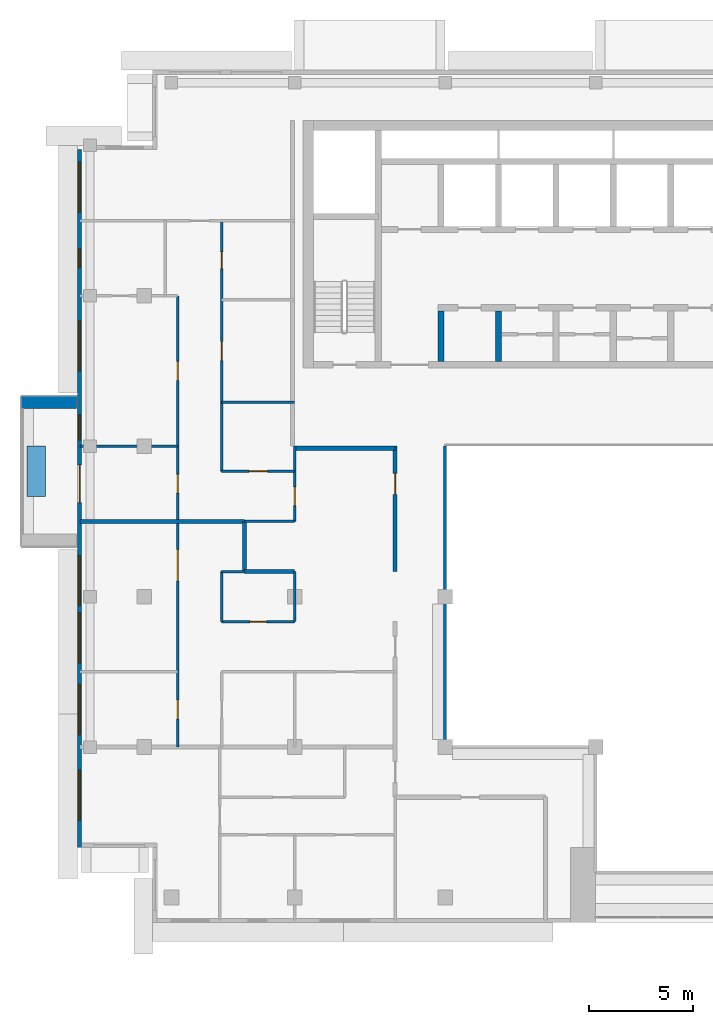
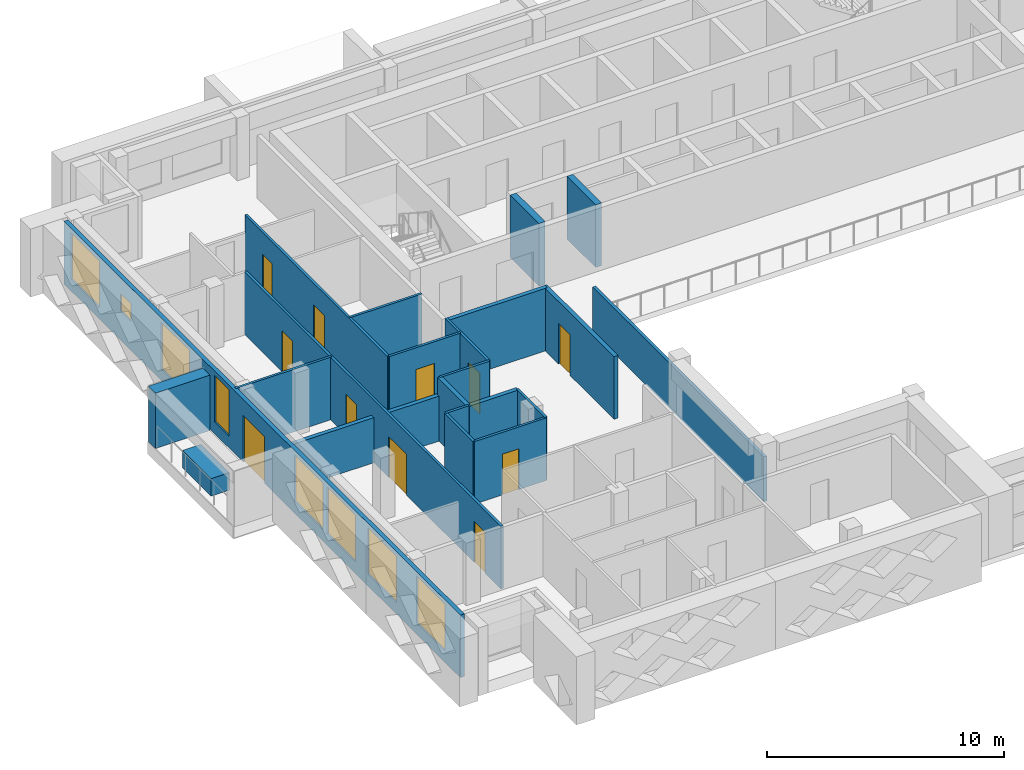
# One storey, part 7 of 19: 22 walls, 11 doors, 8 windows, 19 openings.
"""IFC4 building model written with IfcOpenShell, lengths in metres."""

import ifcopenshell
import ifcopenshell.guid

model = None  # the IFC model being written
_history = None  # IfcOwnerHistory: only IFC2X3 demands one
_inside = {}  # id of a spatial element -> (the spatial element, [elements in it])
_under = {}  # id of a project, library or spatial element -> (it, [spatial elements below it])
_declared = {}  # id of a project -> (the project, [libraries it declares])
_typed = {}  # id of a type object -> (the type object, [elements of that type])
_made_of = {}  # id of a material, layer set ... -> (it, [elements and type objects made of it])


def new_model(schema):
    """Start an empty IFC model of exactly this schema.

    Asked for "IFC4X3", IfcOpenShell would pick the latest addendum, in which some entities
    have other attributes; the version numbers below select the first issue.
    IFC2X3 requires an IfcOwnerHistory on every rooted entity: one is made here for all.
    """
    global model, _history
    if schema == "IFC4X3":
        model = ifcopenshell.file(schema_version=(4, 3, 0, 0))
    else:
        model = ifcopenshell.file(schema=schema)
    _inside.clear()
    _under.clear()
    _declared.clear()
    _typed.clear()
    _made_of.clear()
    _history = None
    if model.schema == "IFC2X3":
        org = make("IfcOrganization", Name="unknown")
        user = make(
            "IfcPersonAndOrganization",
            ThePerson=make("IfcPerson", FamilyName="unknown"),
            TheOrganization=org,
        )
        app = make(
            "IfcApplication",
            ApplicationDeveloper=org,
            Version="unknown",
            ApplicationFullName="unknown",
            ApplicationIdentifier="unknown",
        )
        _history = make(
            "IfcOwnerHistory",
            OwningUser=user,
            OwningApplication=app,
            ChangeAction="ADDED",
            CreationDate=0,
        )
    return model


def make(cls, **values):
    """One entity of the class cls with the attributes given. An attribute that is None is left unset."""
    return model.create_entity(
        cls, **{name: value for name, value in values.items() if value is not None}
    )


def rooted(cls, **values):
    """An entity with a GlobalId (a new one), such as an element, a storey or a relation."""
    return make(cls, GlobalId=ifcopenshell.guid.new(), OwnerHistory=_history, **values)


def si_unit(unit_type, name, prefix=None):
    """IfcSIUnit, for example si_unit("LENGTHUNIT", "METRE", prefix="MILLI")."""
    return make("IfcSIUnit", UnitType=unit_type, Prefix=prefix, Name=name)


def assignment(units):
    """IfcUnitAssignment: the units of a project."""
    return None if units is None else make("IfcUnitAssignment", Units=units)


def point(xyz):
    """IfcCartesianPoint."""
    return None if xyz is None else make("IfcCartesianPoint", Coordinates=xyz)


def direction(xyz):
    """IfcDirection."""
    return None if xyz is None else make("IfcDirection", DirectionRatios=xyz)


def frame(location, z_axis=None, x_axis=None):
    """IfcAxis2Placement3D, a coordinate frame: its origin and axes. An axis left out is left unset."""
    return make(
        "IfcAxis2Placement3D",
        Location=point(location),
        Axis=direction(z_axis),
        RefDirection=direction(x_axis),
    )


def frame_2d(location, x_axis=None):
    """IfcAxis2Placement2D, a coordinate frame in the plane: its origin and x axis."""
    return make(
        "IfcAxis2Placement2D", Location=point(location), RefDirection=direction(x_axis)
    )


def origin():
    """The frame at (0, 0, 0) with its axes left unset."""
    return frame((0.0, 0.0, 0.0))


def place(relative_to, where):
    """IfcLocalPlacement: puts the frame where relative to a parent placement (None: the world)."""
    return make(
        "IfcLocalPlacement", PlacementRelTo=relative_to, RelativePlacement=where
    )


def context(
    kind, dimensions, precision=None, world=None, true_north=None, identifier=None
):
    """IfcGeometricRepresentationContext, for example the 3D "Model" context."""
    return make(
        "IfcGeometricRepresentationContext",
        ContextIdentifier=identifier,
        ContextType=kind,
        CoordinateSpaceDimension=dimensions,
        Precision=precision,
        WorldCoordinateSystem=world,
        TrueNorth=true_north,
    )


def subcontext(parent, identifier, kind, view, scale=None):
    """IfcGeometricRepresentationSubContext, for example "Body" below "Model"."""
    return make(
        "IfcGeometricRepresentationSubContext",
        ContextIdentifier=identifier,
        ContextType=kind,
        ParentContext=parent,
        TargetScale=scale,
        TargetView=view,
    )


def project(units=None, contexts=None):
    """IfcProject with its units and contexts."""
    return rooted(
        "IfcProject",
        Name="project",
        RepresentationContexts=contexts,
        UnitsInContext=assignment(units),
    )


def spatial(cls, under=None, at=None, **own):
    """A site, building, storey or space (cls), placed at a placement, below another one or the project."""
    s = rooted(cls, ObjectPlacement=at, **own)
    if under is not None:
        _under.setdefault(under.id(), (under, []))[1].append(s)
    return s


def profile(cls, at=None, kind="AREA", **sizes):
    """A parametric profile (cls). Its sizes go by their IFC names, for example OverallWidth=200.0."""
    return make(cls, ProfileType=kind, Position=at, **sizes)


def rectangle(**sizes):
    """IfcRectangleProfileDef."""
    return profile("IfcRectangleProfileDef", **sizes)


def extrude(swept, where, along, depth):
    """IfcExtrudedAreaSolid: the profile swept, set in the frame where, extruded along a direction by depth."""
    return make(
        "IfcExtrudedAreaSolid",
        SweptArea=swept,
        Position=where,
        ExtrudedDirection=direction(along),
        Depth=depth,
    )


def shape(context_of_items, identifier, shape_type, items):
    """IfcShapeRepresentation: the items that make up one representation, for example the "Body"."""
    return make(
        "IfcShapeRepresentation",
        ContextOfItems=context_of_items,
        RepresentationIdentifier=identifier,
        RepresentationType=shape_type,
        Items=items,
    )


def material(Name=None, Category=None):
    """IfcMaterial."""
    return make("IfcMaterial", Name=Name, Category=Category)


def layer(
    of_material, thickness, ventilated=None, Name=None, Category=None, Priority=None
):
    """IfcMaterialLayer: one layer of a wall or slab, of a material (None: an air gap)."""
    return make(
        "IfcMaterialLayer",
        Material=of_material,
        LayerThickness=thickness,
        IsVentilated=ventilated,
        Name=Name,
        Category=Category,
        Priority=Priority,
    )


def layer_set(layers, Name=None):
    """IfcMaterialLayerSet."""
    return make("IfcMaterialLayerSet", MaterialLayers=layers, LayerSetName=Name)


def made_of(thing, what):
    """Note that an element or type object is made of a material, layer set ...; save() writes the relation."""
    if what is not None:
        _made_of.setdefault(what.id(), (what, []))[1].append(thing)
    return thing


def type_object(cls, material=None, **own):
    """A type object (cls), such as IfcWallType, which elements share."""
    return made_of(rooted(cls, **own), material)


def element(
    cls,
    number,
    at=None,
    inside=None,
    cuts=None,
    type_object=None,
    material=None,
    context=None,
    identifier="Body",
    shape_type=None,
    held_by="IfcProductDefinitionShape",
    body=None,
    shapes=None,
    **own,
):
    """One element of the class cls, such as IfcWall. Its Tag is "e" and its number.

    at: its placement. inside: the storey or other place that contains it. cuts: it is an
    opening in that element (IfcRelVoidsElement). A single representation is given by context,
    identifier, shape_type and body (its items); several are given by shapes. held_by: the class
    of the entity that holds the representations. save() writes the other relations.
    """
    e = rooted(cls, Tag="e%d" % number, ObjectPlacement=at, **own)
    if body is not None:
        shapes = [shape(context, identifier, shape_type, body)]
    if shapes is not None:
        e.Representation = make(held_by, Representations=shapes)
    if inside is not None:
        _inside.setdefault(inside.id(), (inside, []))[1].append(e)
    if cuts is not None:
        rooted(
            "IfcRelVoidsElement", RelatingBuildingElement=cuts, RelatedOpeningElement=e
        )
    if type_object is not None:
        _typed.setdefault(type_object.id(), (type_object, []))[1].append(e)
    return made_of(e, material)


def fill(opening, filler):
    """IfcRelFillsElement: the door or window that sits in an opening."""
    return rooted(
        "IfcRelFillsElement",
        RelatingOpeningElement=opening,
        RelatedBuildingElement=filler,
    )


def aggregate(whole, parts):
    """IfcRelAggregates: a whole, such as a stair, and the parts it consists of."""
    return rooted("IfcRelAggregates", RelatingObject=whole, RelatedObjects=parts)


def save(model, path):
    """Write the relations noted so far, then the file.

    IfcRelAggregates (storeys below a building ...), IfcRelContainedInSpatialStructure (elements
    in a storey), IfcRelDefinesByType, IfcRelAssociatesMaterial and IfcRelDeclares: one each for
    every whole, place, type object, material and project.
    """
    for whole, parts in _under.values():
        aggregate(whole, parts)
    for where, things in _inside.values():
        rooted(
            "IfcRelContainedInSpatialStructure",
            RelatedElements=things,
            RelatingStructure=where,
        )
    for kind, things in _typed.values():
        rooted("IfcRelDefinesByType", RelatedObjects=things, RelatingType=kind)
    for what, things in _made_of.values():
        rooted("IfcRelAssociatesMaterial", RelatedObjects=things, RelatingMaterial=what)
    for by, libraries in _declared.values():
        rooted("IfcRelDeclares", RelatingContext=by, RelatedDefinitions=libraries)
    model.write(path)


model = new_model("IFC4")

# Units and contexts
model_context = context("Model", 3, precision=1e-05, world=origin(), true_north=direction((0.0, 1.0)))
body_context = subcontext(model_context, "Body", "Model", "MODEL_VIEW")
ifc_project = project(units=[si_unit("LENGTHUNIT", "METRE"), si_unit("AREAUNIT", "SQUARE_METRE"), si_unit("VOLUMEUNIT", "CUBIC_METRE"), si_unit("PLANEANGLEUNIT", "RADIAN"), si_unit("MASSUNIT", "GRAM", prefix="KILO")], contexts=[model_context])

# Site, building, storey
site_placement = place(None, origin())
site = spatial("IfcSite", under=ifc_project, at=site_placement, CompositionType="ELEMENT")
building_placement = place(site_placement, origin())
building = spatial("IfcBuilding", under=site, at=building_placement, Name="Saffron Iwan Residences", CompositionType="ELEMENT")
storey_placement = place(building_placement, frame((0.0, 0.0, 253.5)))
storey = spatial("IfcBuildingStorey", under=building, at=storey_placement, Name="L68", CompositionType="ELEMENT", Elevation=253.5)

# Walls
ifc_material_1 = material(Name="Fire-rated glazing", Category="glass")
ifc_layer_1 = layer(ifc_material_1, 0.14990234375)
ifc_layer_set_1 = layer_set([ifc_layer_1], Name="Fire-rated glazing")
wall_type_1 = type_object("IfcWallType", Name="Atrium glazed screen 150", PredefinedType="SOLIDWALL", material=ifc_layer_set_1)
wall_1_placement = place(storey_placement, frame((36.0, 48.0, 0.0), z_axis=(0.0, 0.0, 1.0), x_axis=(0.0, 1.0, 0.0)))
element("IfcWall", 1, at=wall_1_placement, inside=storey, type_object=wall_type_1, Name="W-L68-SCREEN-v36-48", PredefinedType="SOLIDWALL", context=body_context, shape_type="SweptSolid", body=[
    extrude(rectangle(XDim=14.39990234375, YDim=0.14990234375, at=frame_2d((7.199951171875, 0.0))), origin(), (0.0, 0.0, 1.0), 2.320068359375),
])
ifc_material_2 = material(Name="Concrete C50/60 white painted", Category="concrete")
ifc_layer_2 = layer(ifc_material_2, 0.60009765625)
ifc_layer_set_2 = layer_set([ifc_layer_2], Name="Concrete C50/60 white painted")
wall_type_2 = type_object("IfcWallType", Name="BALCONY FIN 600", PredefinedType="SOLIDWALL", material=ifc_layer_set_2)
wall_2_placement = place(storey_placement, frame((18.35009765625, 64.5, 0.0), z_axis=(0.0, 0.0, 1.0), x_axis=(-1.0, 0.0, 0.0)))
element("IfcWall", 2, at=wall_2_placement, inside=storey, type_object=wall_type_2, Name="Balcony fin L68 F8-0a", PredefinedType="SOLIDWALL", context=body_context, shape_type="SweptSolid", body=[
    extrude(rectangle(XDim=2.650146484375, YDim=0.60009765625, at=frame_2d((1.3251953125, 0.0))), origin(), (0.0, 0.0, 1.0), 2.85009765625),
])
ifc_material_3 = material(Name="Concrete C35/45 white painted", Category="concrete")
ifc_layer_3 = layer(ifc_material_3, 0.14990234375)
ifc_layer_set_3 = layer_set([ifc_layer_3], Name="Concrete C35/45 white painted")
wall_type_3 = type_object("IfcWallType", Name="BALCONY PLANTER", PredefinedType="SOLIDWALL", material=ifc_layer_set_3)
wall_3_placement = place(storey_placement, frame((16.425048828125, 62.39990234375, 0.0), z_axis=(0.0, 0.0, 1.0), x_axis=(0.0, -1.0, 0.0)))
element("IfcWall", 3, at=wall_3_placement, inside=storey, type_object=wall_type_3, Name="PLANTER L68 F8-0", PredefinedType="SOLIDWALL", context=body_context, shape_type="SweptSolid", body=[
    extrude(rectangle(XDim=2.39990234375, YDim=0.89990234375, at=frame_2d((1.199951171875, 0.0))), origin(), (0.0, 0.0, 1.0), 0.89990234375),
])

# Wall, openings, door, windows
ifc_material_4 = material(Name="Concrete C40/50", Category="concrete")
ifc_layer_4 = layer(ifc_material_4, 0.199951171875)
ifc_layer_set_4 = layer_set([ifc_layer_4], Name="Concrete C40/50")
wall_type_4 = type_object("IfcWallType", Name="EXTERNAL WALL 200", PredefinedType="SOLIDWALL", material=ifc_layer_set_4)
wall_4_placement = place(storey_placement, frame((18.5, 76.60009765625, 0.0), z_axis=(0.0, 0.0, 1.0), x_axis=(0.0, -1.0, 0.0)))
wall_4 = element("IfcWall", 4, at=wall_4_placement, inside=storey, type_object=wall_type_4, Name="External wall L68 F8.0", PredefinedType="SOLIDWALL", context=body_context, shape_type="SweptSolid", body=[
    extrude(rectangle(XDim=33.400146484375, YDim=0.199951171875, at=frame_2d((16.7001953125, 0.0))), origin(), (0.0, 0.0, 1.0), 3.219970703125),
])
opening_1_placement = place(wall_4_placement, frame((15.10009765625, 0.0, 0.0)))
opening_1 = element("IfcOpeningElement", 5, at=opening_1_placement, cuts=wall_4, Name="Opening BD1", PredefinedType="OPENING", context=body_context, shape_type="SweptSolid", body=[
    extrude(rectangle(XDim=1.800048828125, YDim=2.39990234375, at=frame_2d((0.89990234375, 1.199951171875))), frame((0.0, 0.10986328125, 0.0), z_axis=(0.0, -1.0, 0.0), x_axis=(1.0, 0.0, 0.0)), (0.0, 0.0, 1.0), 0.219970703125),
])
opening_2_placement = place(wall_4_placement, frame((29.699951171875, 0.0, 0.60009765625)))
opening_2 = element("IfcOpeningElement", 6, at=opening_2_placement, cuts=wall_4, Name="Opening W1", PredefinedType="OPENING", context=body_context, shape_type="SweptSolid", body=[
    extrude(rectangle(XDim=2.39990234375, YDim=2.39990234375, at=frame_2d((1.199951171875, 1.199951171875))), frame((0.0, 0.10986328125, 0.0), z_axis=(0.0, -1.0, 0.0), x_axis=(1.0, 0.0, 0.0)), (0.0, 0.0, 1.0), 0.219970703125),
])
opening_3_placement = place(wall_4_placement, frame((25.60009765625, 0.0, 0.60009765625)))
opening_3 = element("IfcOpeningElement", 7, at=opening_3_placement, cuts=wall_4, Name="Opening W1", PredefinedType="OPENING", context=body_context, shape_type="SweptSolid", body=[
    extrude(rectangle(XDim=2.39990234375, YDim=2.39990234375, at=frame_2d((1.199951171875, 1.199951171875))), frame((0.0, 0.10986328125, 0.0), z_axis=(0.0, -1.0, 0.0), x_axis=(1.0, 0.0, 0.0)), (0.0, 0.0, 1.0), 0.219970703125),
])
opening_4_placement = place(wall_4_placement, frame((19.433349609375, 0.0, 0.60009765625)))
opening_4 = element("IfcOpeningElement", 8, at=opening_4_placement, cuts=wall_4, Name="Opening W1", PredefinedType="OPENING", context=body_context, shape_type="SweptSolid", body=[
    extrude(rectangle(XDim=2.39990234375, YDim=2.39990234375, at=frame_2d((1.199951171875, 1.199951171875))), frame((0.0, 0.10986328125, 0.0), z_axis=(0.0, -1.0, 0.0), x_axis=(1.0, 0.0, 0.0)), (0.0, 0.0, 1.0), 0.219970703125),
])
opening_5_placement = place(wall_4_placement, frame((22.166748046875, 0.0, 0.60009765625)))
opening_5 = element("IfcOpeningElement", 9, at=opening_5_placement, cuts=wall_4, Name="Opening W1", PredefinedType="OPENING", context=body_context, shape_type="SweptSolid", body=[
    extrude(rectangle(XDim=2.39990234375, YDim=2.39990234375, at=frame_2d((1.199951171875, 1.199951171875))), frame((0.0, 0.10986328125, 0.0), z_axis=(0.0, -1.0, 0.0), x_axis=(1.0, 0.0, 0.0)), (0.0, 0.0, 1.0), 0.219970703125),
])
opening_6_placement = place(wall_4_placement, frame((8.199951171875, 0.0, 0.60009765625)))
opening_6 = element("IfcOpeningElement", 10, at=opening_6_placement, cuts=wall_4, Name="Opening W1", PredefinedType="OPENING", context=body_context, shape_type="SweptSolid", body=[
    extrude(rectangle(XDim=2.39990234375, YDim=2.39990234375, at=frame_2d((1.199951171875, 1.199951171875))), frame((0.0, 0.10986328125, 0.0), z_axis=(0.0, -1.0, 0.0), x_axis=(1.0, 0.0, 0.0)), (0.0, 0.0, 1.0), 0.219970703125),
])
opening_7_placement = place(wall_4_placement, frame((12.699951171875, 0.0, 0.60009765625)))
opening_7 = element("IfcOpeningElement", 11, at=opening_7_placement, cuts=wall_4, Name="Opening W3", PredefinedType="OPENING", context=body_context, shape_type="SweptSolid", body=[
    extrude(rectangle(XDim=1.199951171875, YDim=2.39990234375, at=frame_2d((0.60009765625, 1.199951171875))), frame((0.0, 0.10986328125, 0.0), z_axis=(0.0, -1.0, 0.0), x_axis=(1.0, 0.0, 0.0)), (0.0, 0.0, 1.0), 0.219970703125),
])
opening_8_placement = place(wall_4_placement, frame((4.75, 0.0, 1.5)))
opening_8 = element("IfcOpeningElement", 12, at=opening_8_placement, cuts=wall_4, Name="Opening W6", PredefinedType="OPENING", context=body_context, shape_type="SweptSolid", body=[
    extrude(rectangle(XDim=0.89990234375, YDim=0.89990234375, at=frame_2d((0.449951171875, 0.449951171875))), frame((0.0, 0.10986328125, 0.0), z_axis=(0.0, -1.0, 0.0), x_axis=(1.0, 0.0, 0.0)), (0.0, 0.0, 1.0), 0.219970703125),
])
opening_9_placement = place(wall_4_placement, frame((0.60009765625, 0.0, 0.60009765625)))
opening_9 = element("IfcOpeningElement", 13, at=opening_9_placement, cuts=wall_4, Name="Opening W1", PredefinedType="OPENING", context=body_context, shape_type="SweptSolid", body=[
    extrude(rectangle(XDim=2.39990234375, YDim=2.39990234375, at=frame_2d((1.199951171875, 1.199951171875))), frame((0.0, 0.10986328125, 0.0), z_axis=(0.0, -1.0, 0.0), x_axis=(1.0, 0.0, 0.0)), (0.0, 0.0, 1.0), 0.219970703125),
])
ifc_material_5 = material(Name="Clear glass, laminated double glazed", Category="glass")
door_type_1 = type_object("IfcDoorType", Name="BALCONY DOOR 1800 x 2400", OperationType="DOUBLE_DOOR_SLIDING", PredefinedType="DOOR", material=ifc_material_5)
door_1_placement = place(opening_1_placement, origin())
door_1 = element("IfcDoor", 14, at=door_1_placement, inside=storey, type_object=door_type_1, Name="Balcony door L68 F8.0", OperationType="DOUBLE_DOOR_SLIDING", OverallHeight=2.39990234375, OverallWidth=1.800048828125, PredefinedType="DOOR", context=body_context, shape_type="SweptSolid", body=[
    extrude(rectangle(XDim=1.800048828125, YDim=2.39990234375, at=frame_2d((0.89990234375, 1.199951171875))), frame((0.0, 0.02490234375, 0.0), z_axis=(0.0, -1.0, 0.0), x_axis=(1.0, 0.0, 0.0)), (0.0, 0.0, 1.0), 0.050048828125),
])
fill(opening_1, door_1)
window_type_1 = type_object("IfcWindowType", Name="WINDOW 1200 x 2400", PartitioningType="SINGLE_PANEL", PredefinedType="WINDOW", material=ifc_material_5)
window_1_placement = place(opening_7_placement, origin())
window_1 = element("IfcWindow", 15, at=window_1_placement, inside=storey, type_object=window_type_1, Name="Window L68 F8.6", OverallHeight=2.39990234375, OverallWidth=1.199951171875, PartitioningType="SINGLE_PANEL", PredefinedType="WINDOW", context=body_context, shape_type="SweptSolid", body=[
    extrude(rectangle(XDim=1.199951171875, YDim=2.39990234375, at=frame_2d((0.60009765625, 1.199951171875))), frame((0.0, 0.030029296875, 0.0), z_axis=(0.0, -1.0, 0.0), x_axis=(1.0, 0.0, 0.0)), (0.0, 0.0, 1.0), 0.06005859375),
])
fill(opening_7, window_1)
window_type_2 = type_object("IfcWindowType", Name="WINDOW 2400 x 2400", PartitioningType="DOUBLE_PANEL_VERTICAL", PredefinedType="WINDOW", material=ifc_material_5)
window_2_placement = place(opening_2_placement, origin())
window_2 = element("IfcWindow", 16, at=window_2_placement, inside=storey, type_object=window_type_2, Name="Window L68 F8.1", OverallHeight=2.39990234375, OverallWidth=2.39990234375, PartitioningType="DOUBLE_PANEL_VERTICAL", PredefinedType="WINDOW", context=body_context, shape_type="SweptSolid", body=[
    extrude(rectangle(XDim=2.39990234375, YDim=2.39990234375, at=frame_2d((1.199951171875, 1.199951171875))), frame((0.0, 0.030029296875, 0.0), z_axis=(0.0, -1.0, 0.0), x_axis=(1.0, 0.0, 0.0)), (0.0, 0.0, 1.0), 0.06005859375),
])
fill(opening_2, window_2)
window_3_placement = place(opening_3_placement, origin())
window_3 = element("IfcWindow", 17, at=window_3_placement, inside=storey, type_object=window_type_2, Name="Window L68 F8.2", OverallHeight=2.39990234375, OverallWidth=2.39990234375, PartitioningType="DOUBLE_PANEL_VERTICAL", PredefinedType="WINDOW", context=body_context, shape_type="SweptSolid", body=[
    extrude(rectangle(XDim=2.39990234375, YDim=2.39990234375, at=frame_2d((1.199951171875, 1.199951171875))), frame((0.0, 0.030029296875, 0.0), z_axis=(0.0, -1.0, 0.0), x_axis=(1.0, 0.0, 0.0)), (0.0, 0.0, 1.0), 0.06005859375),
])
fill(opening_3, window_3)
window_4_placement = place(opening_4_placement, origin())
window_4 = element("IfcWindow", 18, at=window_4_placement, inside=storey, type_object=window_type_2, Name="Window L68 F8.3", OverallHeight=2.39990234375, OverallWidth=2.39990234375, PartitioningType="DOUBLE_PANEL_VERTICAL", PredefinedType="WINDOW", context=body_context, shape_type="SweptSolid", body=[
    extrude(rectangle(XDim=2.39990234375, YDim=2.39990234375, at=frame_2d((1.199951171875, 1.199951171875))), frame((0.0, 0.030029296875, 0.0), z_axis=(0.0, -1.0, 0.0), x_axis=(1.0, 0.0, 0.0)), (0.0, 0.0, 1.0), 0.06005859375),
])
fill(opening_4, window_4)
window_5_placement = place(opening_5_placement, origin())
window_5 = element("IfcWindow", 19, at=window_5_placement, inside=storey, type_object=window_type_2, Name="Window L68 F8.4", OverallHeight=2.39990234375, OverallWidth=2.39990234375, PartitioningType="DOUBLE_PANEL_VERTICAL", PredefinedType="WINDOW", context=body_context, shape_type="SweptSolid", body=[
    extrude(rectangle(XDim=2.39990234375, YDim=2.39990234375, at=frame_2d((1.199951171875, 1.199951171875))), frame((0.0, 0.030029296875, 0.0), z_axis=(0.0, -1.0, 0.0), x_axis=(1.0, 0.0, 0.0)), (0.0, 0.0, 1.0), 0.06005859375),
])
fill(opening_5, window_5)
window_6_placement = place(opening_6_placement, origin())
window_6 = element("IfcWindow", 20, at=window_6_placement, inside=storey, type_object=window_type_2, Name="Window L68 F8.5", OverallHeight=2.39990234375, OverallWidth=2.39990234375, PartitioningType="DOUBLE_PANEL_VERTICAL", PredefinedType="WINDOW", context=body_context, shape_type="SweptSolid", body=[
    extrude(rectangle(XDim=2.39990234375, YDim=2.39990234375, at=frame_2d((1.199951171875, 1.199951171875))), frame((0.0, 0.030029296875, 0.0), z_axis=(0.0, -1.0, 0.0), x_axis=(1.0, 0.0, 0.0)), (0.0, 0.0, 1.0), 0.06005859375),
])
fill(opening_6, window_6)
window_7_placement = place(opening_9_placement, origin())
window_7 = element("IfcWindow", 21, at=window_7_placement, inside=storey, type_object=window_type_2, Name="Window L68 F8.8", OverallHeight=2.39990234375, OverallWidth=2.39990234375, PartitioningType="DOUBLE_PANEL_VERTICAL", PredefinedType="WINDOW", context=body_context, shape_type="SweptSolid", body=[
    extrude(rectangle(XDim=2.39990234375, YDim=2.39990234375, at=frame_2d((1.199951171875, 1.199951171875))), frame((0.0, 0.030029296875, 0.0), z_axis=(0.0, -1.0, 0.0), x_axis=(1.0, 0.0, 0.0)), (0.0, 0.0, 1.0), 0.06005859375),
])
fill(opening_9, window_7)
window_type_3 = type_object("IfcWindowType", Name="WINDOW 900 x 900 BATH", PartitioningType="SINGLE_PANEL", PredefinedType="WINDOW", material=ifc_material_5)
window_8_placement = place(opening_8_placement, origin())
window_8 = element("IfcWindow", 22, at=window_8_placement, inside=storey, type_object=window_type_3, Name="Window L68 F8.7", OverallHeight=0.89990234375, OverallWidth=0.89990234375, PartitioningType="SINGLE_PANEL", PredefinedType="WINDOW", context=body_context, shape_type="SweptSolid", body=[
    extrude(rectangle(XDim=0.89990234375, YDim=0.89990234375, at=frame_2d((0.449951171875, 0.449951171875))), frame((0.0, 0.030029296875, 0.0), z_axis=(0.0, -1.0, 0.0), x_axis=(1.0, 0.0, 0.0)), (0.0, 0.0, 1.0), 0.06005859375),
])
fill(opening_8, window_8)

# Walls
ifc_material_6 = material(Name="Fire-rated gypsum board wall")
ifc_layer_5 = layer(ifc_material_6, 0.199951171875)
ifc_layer_set_5 = layer_set([ifc_layer_5], Name="Fire-rated gypsum board wall")
wall_type_5 = type_object("IfcWallType", Name="Flat demising wall 200", PredefinedType="SOLIDWALL", material=ifc_layer_set_5)
wall_5_placement = place(storey_placement, frame((26.39990234375, 56.39990234375, 0.0), z_axis=(0.0, 0.0, 1.0), x_axis=(1.0, 0.0, 0.0)))
element("IfcWall", 23, at=wall_5_placement, inside=storey, type_object=wall_type_5, Name="W-L68-DEMISE-h56.4-26.4", PredefinedType="SOLIDWALL", context=body_context, shape_type="SweptSolid", body=[
    extrude(rectangle(XDim=2.400146484375, YDim=0.199951171875, at=frame_2d((1.2001953125, 0.0))), origin(), (0.0, 0.0, 1.0), 3.219970703125),
])
wall_6_placement = place(storey_placement, frame((18.52490234375, 58.800048828125, 0.0), z_axis=(0.0, 0.0, 1.0), x_axis=(1.0, 0.0, 0.0)))
element("IfcWall", 24, at=wall_6_placement, inside=storey, type_object=wall_type_5, Name="W-L68-DEMISE-h58.8-18.525", PredefinedType="SOLIDWALL", context=body_context, shape_type="SweptSolid", body=[
    extrude(rectangle(XDim=7.875, YDim=0.199951171875, at=frame_2d((3.9375, 0.0))), origin(), (0.0, 0.0, 1.0), 2.320068359375),
])
wall_7_placement = place(storey_placement, frame((26.39990234375, 56.39990234375, 0.0), z_axis=(0.0, 0.0, 1.0), x_axis=(0.0, 1.0, 0.0)))
element("IfcWall", 25, at=wall_7_placement, inside=storey, type_object=wall_type_5, Name="W-L68-DEMISE-v26.4-56.4", PredefinedType="SOLIDWALL", context=body_context, shape_type="SweptSolid", body=[
    extrude(rectangle(XDim=2.400146484375, YDim=0.199951171875, at=frame_2d((1.2001953125, 0.0))), origin(), (0.0, 0.0, 1.0), 3.219970703125),
])

# Wall, opening, door
ifc_material_7 = material(Name="Gypsum board partition")
ifc_layer_6 = layer(ifc_material_7, 0.1201171875)
ifc_layer_set_6 = layer_set([ifc_layer_6], Name="Gypsum board partition")
wall_type_6 = type_object("IfcWallType", Name="Flat partition 120", PredefinedType="PARTITIONING", material=ifc_layer_set_6)
wall_8_placement = place(storey_placement, frame((25.300048828125, 54.0, 0.0), z_axis=(0.0, 0.0, 1.0), x_axis=(1.0, 0.0, 0.0)))
wall_8 = element("IfcWall", 26, at=wall_8_placement, inside=storey, type_object=wall_type_6, Name="W-L68-PART-h54-25.3", PredefinedType="PARTITIONING", context=body_context, shape_type="SweptSolid", body=[
    extrude(rectangle(XDim=3.5, YDim=0.1201171875, at=frame_2d((1.75, 0.0))), origin(), (0.0, 0.0, 1.0), 3.219970703125),
])
opening_10_placement = place(wall_8_placement, frame((1.35009765625, 0.0, 0.0)))
opening_10 = element("IfcOpeningElement", 27, at=opening_10_placement, cuts=wall_8, Name="Opening FD3", PredefinedType="OPENING", context=body_context, shape_type="SweptSolid", body=[
    extrude(rectangle(XDim=0.800048828125, YDim=2.10009765625, at=frame_2d((0.39990234375, 1.050048828125))), frame((0.0, 0.070068359375, 0.0), z_axis=(0.0, -1.0, 0.0), x_axis=(1.0, 0.0, 0.0)), (0.0, 0.0, 1.0), 0.14013671875),
])
ifc_material_8 = material(Name="Timber door", Category="wood")
door_type_2 = type_object("IfcDoorType", Name="Bathroom door 800", OperationType="NOTDEFINED", PredefinedType="DOOR", material=ifc_material_8)
door_2_placement = place(opening_10_placement, origin())
door_2 = element("IfcDoor", 28, at=door_2_placement, inside=storey, type_object=door_type_2, Name="Door L68-011", OperationType="SINGLE_SWING_RIGHT", OverallHeight=2.10009765625, OverallWidth=0.800048828125, PredefinedType="DOOR", context=body_context, shape_type="SweptSolid", body=[
    extrude(rectangle(XDim=0.800048828125, YDim=2.10009765625, at=frame_2d((0.39990234375, 1.050048828125))), frame((0.0, 0.02490234375, 0.0), z_axis=(0.0, -1.0, 0.0), x_axis=(1.0, 0.0, 0.0)), (0.0, 0.0, 1.0), 0.050048828125),
])
fill(opening_10, door_2)

# Walls
wall_9_placement = place(storey_placement, frame((25.300048828125, 56.39990234375, 0.0), z_axis=(0.0, 0.0, 1.0), x_axis=(1.0, 0.0, 0.0)))
element("IfcWall", 29, at=wall_9_placement, inside=storey, type_object=wall_type_6, Name="W-L68-PART-h56.4-25.3", PredefinedType="PARTITIONING", context=body_context, shape_type="SweptSolid", body=[
    extrude(rectangle(XDim=1.099853515625, YDim=0.1201171875, at=frame_2d((0.5498046875, 0.0))), origin(), (0.0, 0.0, 1.0), 3.219970703125),
])
wall_10_placement = place(storey_placement, frame((26.39990234375, 58.800048828125, 0.0), z_axis=(0.0, 0.0, 1.0), x_axis=(1.0, 0.0, 0.0)))
element("IfcWall", 30, at=wall_10_placement, inside=storey, type_object=wall_type_6, Name="W-L68-PART-h58.8-26.4", PredefinedType="PARTITIONING", context=body_context, shape_type="SweptSolid", body=[
    extrude(rectangle(XDim=2.400146484375, YDim=0.1201171875, at=frame_2d((1.2001953125, 0.0))), origin(), (0.0, 0.0, 1.0), 3.219970703125),
])

# Wall, opening, door
wall_11_placement = place(storey_placement, frame((25.300048828125, 61.199951171875, 0.0), z_axis=(0.0, 0.0, 1.0), x_axis=(1.0, 0.0, 0.0)))
wall_11 = element("IfcWall", 31, at=wall_11_placement, inside=storey, type_object=wall_type_6, Name="W-L68-PART-h61.2-25.3", PredefinedType="PARTITIONING", context=body_context, shape_type="SweptSolid", body=[
    extrude(rectangle(XDim=3.5, YDim=0.1201171875, at=frame_2d((1.75, 0.0))), origin(), (0.0, 0.0, 1.0), 3.219970703125),
])
opening_11_placement = place(wall_11_placement, frame((1.300048828125, 0.0, 0.0)))
opening_11 = element("IfcOpeningElement", 32, at=opening_11_placement, cuts=wall_11, Name="Opening FD2", PredefinedType="OPENING", context=body_context, shape_type="SweptSolid", body=[
    extrude(rectangle(XDim=0.89990234375, YDim=2.10009765625, at=frame_2d((0.449951171875, 1.050048828125))), frame((0.0, 0.070068359375, 0.0), z_axis=(0.0, -1.0, 0.0), x_axis=(1.0, 0.0, 0.0)), (0.0, 0.0, 1.0), 0.14013671875),
])
door_type_3 = type_object("IfcDoorType", Name="Flat door 900", OperationType="NOTDEFINED", PredefinedType="DOOR", material=ifc_material_8)
door_3_placement = place(opening_11_placement, origin())
door_3 = element("IfcDoor", 33, at=door_3_placement, inside=storey, type_object=door_type_3, Name="Door L68-026", OperationType="SINGLE_SWING_RIGHT", OverallHeight=2.10009765625, OverallWidth=0.89990234375, PredefinedType="DOOR", context=body_context, shape_type="SweptSolid", body=[
    extrude(rectangle(XDim=0.89990234375, YDim=2.10009765625, at=frame_2d((0.449951171875, 1.050048828125))), frame((0.0, 0.02490234375, 0.0), z_axis=(0.0, -1.0, 0.0), x_axis=(1.0, 0.0, 0.0)), (0.0, 0.0, 1.0), 0.050048828125),
])
fill(opening_11, door_3)

# Walls
wall_12_placement = place(storey_placement, frame((18.52490234375, 62.39990234375, 0.0), z_axis=(0.0, 0.0, 1.0), x_axis=(1.0, 0.0, 0.0)))
element("IfcWall", 34, at=wall_12_placement, inside=storey, type_object=wall_type_6, Name="W-L68-PART-h62.4-18.525", PredefinedType="PARTITIONING", context=body_context, shape_type="SweptSolid", body=[
    extrude(rectangle(XDim=4.675048828125, YDim=0.1201171875, at=frame_2d((2.33740234375, 0.0))), origin(), (0.0, 0.0, 1.0), 3.219970703125),
])
wall_13_placement = place(storey_placement, frame((25.300048828125, 64.5, 0.0), z_axis=(0.0, 0.0, 1.0), x_axis=(1.0, 0.0, 0.0)))
element("IfcWall", 35, at=wall_13_placement, inside=storey, type_object=wall_type_6, Name="W-L68-PART-h64.5-25.3", PredefinedType="PARTITIONING", context=body_context, shape_type="SweptSolid", body=[
    extrude(rectangle(XDim=3.5, YDim=0.1201171875, at=frame_2d((1.75, 0.0))), origin(), (0.0, 0.0, 1.0), 3.219970703125),
])

# Wall, openings, doors
wall_14_placement = place(storey_placement, frame((23.199951171875, 48.0, 0.0), z_axis=(0.0, 0.0, 1.0), x_axis=(0.0, 1.0, 0.0)))
wall_14 = element("IfcWall", 36, at=wall_14_placement, inside=storey, type_object=wall_type_6, Name="W-L68-PART-v23.2-48", PredefinedType="PARTITIONING", context=body_context, shape_type="SweptSolid", body=[
    extrude(rectangle(XDim=21.60009765625, YDim=0.1201171875, at=frame_2d((10.800048828125, 0.0))), origin(), (0.0, 0.0, 1.0), 3.219970703125),
])
opening_12_placement = place(wall_14_placement, frame((1.35009765625, 0.0, 0.0)))
opening_12 = element("IfcOpeningElement", 37, at=opening_12_placement, cuts=wall_14, Name="Opening FD2", PredefinedType="OPENING", context=body_context, shape_type="SweptSolid", body=[
    extrude(rectangle(XDim=0.89990234375, YDim=2.10009765625, at=frame_2d((0.449951171875, 1.050048828125))), frame((0.0, 0.070068359375, 0.0), z_axis=(0.0, -1.0, 0.0), x_axis=(1.0, 0.0, 0.0)), (0.0, 0.0, 1.0), 0.14013671875),
])
opening_13_placement = place(wall_14_placement, frame((7.949951171875, 0.0, 0.0)))
opening_13 = element("IfcOpeningElement", 38, at=opening_13_placement, cuts=wall_14, Name="Opening FD4", PredefinedType="OPENING", context=body_context, shape_type="SweptSolid", body=[
    extrude(rectangle(XDim=1.5, YDim=2.10009765625, at=frame_2d((0.75, 1.050048828125))), frame((0.0, 0.070068359375, 0.0), z_axis=(0.0, -1.0, 0.0), x_axis=(1.0, 0.0, 0.0)), (0.0, 0.0, 1.0), 0.14013671875),
])
opening_14_placement = place(wall_14_placement, frame((12.14990234375, 0.0, 0.0)))
opening_14 = element("IfcOpeningElement", 39, at=opening_14_placement, cuts=wall_14, Name="Opening FD2", PredefinedType="OPENING", context=body_context, shape_type="SweptSolid", body=[
    extrude(rectangle(XDim=0.89990234375, YDim=2.10009765625, at=frame_2d((0.449951171875, 1.050048828125))), frame((0.0, 0.070068359375, 0.0), z_axis=(0.0, -1.0, 0.0), x_axis=(1.0, 0.0, 0.0)), (0.0, 0.0, 1.0), 0.14013671875),
])
opening_15_placement = place(wall_14_placement, frame((17.550048828125, 0.0, 0.0)))
opening_15 = element("IfcOpeningElement", 40, at=opening_15_placement, cuts=wall_14, Name="Opening FD2", PredefinedType="OPENING", context=body_context, shape_type="SweptSolid", body=[
    extrude(rectangle(XDim=0.89990234375, YDim=2.10009765625, at=frame_2d((0.449951171875, 1.050048828125))), frame((0.0, 0.070068359375, 0.0), z_axis=(0.0, -1.0, 0.0), x_axis=(1.0, 0.0, 0.0)), (0.0, 0.0, 1.0), 0.14013671875),
])
door_type_4 = type_object("IfcDoorType", Name="Double door 1500", OperationType="NOTDEFINED", PredefinedType="DOOR", material=ifc_material_8)
door_4_placement = place(opening_13_placement, origin())
door_4 = element("IfcDoor", 41, at=door_4_placement, inside=storey, type_object=door_type_4, Name="Door L68-009", OperationType="SINGLE_SWING_RIGHT", OverallHeight=2.10009765625, OverallWidth=1.5, PredefinedType="DOOR", context=body_context, shape_type="SweptSolid", body=[
    extrude(rectangle(XDim=1.5, YDim=2.10009765625, at=frame_2d((0.75, 1.050048828125))), frame((0.0, 0.02490234375, 0.0), z_axis=(0.0, -1.0, 0.0), x_axis=(1.0, 0.0, 0.0)), (0.0, 0.0, 1.0), 0.050048828125),
])
fill(opening_13, door_4)
door_5_placement = place(opening_12_placement, origin())
door_5 = element("IfcDoor", 42, at=door_5_placement, inside=storey, type_object=door_type_3, Name="Door L68-008", OperationType="SINGLE_SWING_RIGHT", OverallHeight=2.10009765625, OverallWidth=0.89990234375, PredefinedType="DOOR", context=body_context, shape_type="SweptSolid", body=[
    extrude(rectangle(XDim=0.89990234375, YDim=2.10009765625, at=frame_2d((0.449951171875, 1.050048828125))), frame((0.0, 0.02490234375, 0.0), z_axis=(0.0, -1.0, 0.0), x_axis=(1.0, 0.0, 0.0)), (0.0, 0.0, 1.0), 0.050048828125),
])
fill(opening_12, door_5)
door_6_placement = place(opening_14_placement, origin())
door_6 = element("IfcDoor", 43, at=door_6_placement, inside=storey, type_object=door_type_3, Name="Door L68-022", OperationType="SINGLE_SWING_LEFT", OverallHeight=2.10009765625, OverallWidth=0.89990234375, PredefinedType="DOOR", context=body_context, shape_type="SweptSolid", body=[
    extrude(rectangle(XDim=0.89990234375, YDim=2.10009765625, at=frame_2d((0.449951171875, 1.050048828125))), frame((0.0, 0.02490234375, 0.0), z_axis=(0.0, -1.0, 0.0), x_axis=(1.0, 0.0, 0.0)), (0.0, 0.0, 1.0), 0.050048828125),
])
fill(opening_14, door_6)
door_7_placement = place(opening_15_placement, origin())
door_7 = element("IfcDoor", 44, at=door_7_placement, inside=storey, type_object=door_type_3, Name="Door L68-023", OperationType="SINGLE_SWING_RIGHT", OverallHeight=2.10009765625, OverallWidth=0.89990234375, PredefinedType="DOOR", context=body_context, shape_type="SweptSolid", body=[
    extrude(rectangle(XDim=0.89990234375, YDim=2.10009765625, at=frame_2d((0.449951171875, 1.050048828125))), frame((0.0, 0.02490234375, 0.0), z_axis=(0.0, -1.0, 0.0), x_axis=(1.0, 0.0, 0.0)), (0.0, 0.0, 1.0), 0.050048828125),
])
fill(opening_15, door_7)

# Wall
wall_15_placement = place(storey_placement, frame((25.300048828125, 54.0, 0.0), z_axis=(0.0, 0.0, 1.0), x_axis=(0.0, 1.0, 0.0)))
element("IfcWall", 45, at=wall_15_placement, inside=storey, type_object=wall_type_6, Name="W-L68-PART-v25.3-54", PredefinedType="PARTITIONING", context=body_context, shape_type="SweptSolid", body=[
    extrude(rectangle(XDim=2.39990234375, YDim=0.1201171875, at=frame_2d((1.199951171875, 0.0))), origin(), (0.0, 0.0, 1.0), 3.219970703125),
])

# Wall, openings, doors
wall_16_placement = place(storey_placement, frame((25.300048828125, 61.199951171875, 0.0), z_axis=(0.0, 0.0, 1.0), x_axis=(0.0, 1.0, 0.0)))
wall_16 = element("IfcWall", 46, at=wall_16_placement, inside=storey, type_object=wall_type_6, Name="W-L68-PART-v25.3-61.2", PredefinedType="PARTITIONING", context=body_context, shape_type="SweptSolid", body=[
    extrude(rectangle(XDim=12.0, YDim=0.1201171875, at=frame_2d((6.0, 0.0))), origin(), (0.0, 0.0, 1.0), 3.219970703125),
])
opening_16_placement = place(wall_16_placement, frame((5.300048828125, 0.0, 0.0)))
opening_16 = element("IfcOpeningElement", 47, at=opening_16_placement, cuts=wall_16, Name="Opening FD2", PredefinedType="OPENING", context=body_context, shape_type="SweptSolid", body=[
    extrude(rectangle(XDim=0.89990234375, YDim=2.10009765625, at=frame_2d((0.449951171875, 1.050048828125))), frame((0.0, 0.070068359375, 0.0), z_axis=(0.0, -1.0, 0.0), x_axis=(1.0, 0.0, 0.0)), (0.0, 0.0, 1.0), 0.14013671875),
])
opening_17_placement = place(wall_16_placement, frame((9.699951171875, 0.0, 0.0)))
opening_17 = element("IfcOpeningElement", 48, at=opening_17_placement, cuts=wall_16, Name="Opening FD3", PredefinedType="OPENING", context=body_context, shape_type="SweptSolid", body=[
    extrude(rectangle(XDim=0.800048828125, YDim=2.10009765625, at=frame_2d((0.39990234375, 1.050048828125))), frame((0.0, 0.070068359375, 0.0), z_axis=(0.0, -1.0, 0.0), x_axis=(1.0, 0.0, 0.0)), (0.0, 0.0, 1.0), 0.14013671875),
])
door_8_placement = place(opening_17_placement, origin())
door_8 = element("IfcDoor", 49, at=door_8_placement, inside=storey, type_object=door_type_2, Name="Door L68-028", OperationType="SINGLE_SWING_LEFT", OverallHeight=2.10009765625, OverallWidth=0.800048828125, PredefinedType="DOOR", context=body_context, shape_type="SweptSolid", body=[
    extrude(rectangle(XDim=0.800048828125, YDim=2.10009765625, at=frame_2d((0.39990234375, 1.050048828125))), frame((0.0, 0.02490234375, 0.0), z_axis=(0.0, -1.0, 0.0), x_axis=(1.0, 0.0, 0.0)), (0.0, 0.0, 1.0), 0.050048828125),
])
fill(opening_17, door_8)
door_9_placement = place(opening_16_placement, origin())
door_9 = element("IfcDoor", 50, at=door_9_placement, inside=storey, type_object=door_type_3, Name="Door L68-027", OperationType="SINGLE_SWING_LEFT", OverallHeight=2.10009765625, OverallWidth=0.89990234375, PredefinedType="DOOR", context=body_context, shape_type="SweptSolid", body=[
    extrude(rectangle(XDim=0.89990234375, YDim=2.10009765625, at=frame_2d((0.449951171875, 1.050048828125))), frame((0.0, 0.02490234375, 0.0), z_axis=(0.0, -1.0, 0.0), x_axis=(1.0, 0.0, 0.0)), (0.0, 0.0, 1.0), 0.050048828125),
])
fill(opening_16, door_9)

# Wall
wall_17_placement = place(storey_placement, frame((28.800048828125, 54.0, 0.0), z_axis=(0.0, 0.0, 1.0), x_axis=(0.0, 1.0, 0.0)))
element("IfcWall", 51, at=wall_17_placement, inside=storey, type_object=wall_type_6, Name="W-L68-PART-v28.8-54", PredefinedType="PARTITIONING", context=body_context, shape_type="SweptSolid", body=[
    extrude(rectangle(XDim=2.39990234375, YDim=0.1201171875, at=frame_2d((1.199951171875, 0.0))), origin(), (0.0, 0.0, 1.0), 3.219970703125),
])

# Wall, opening, door
wall_18_placement = place(storey_placement, frame((28.800048828125, 58.800048828125, 0.0), z_axis=(0.0, 0.0, 1.0), x_axis=(0.0, 1.0, 0.0)))
wall_18 = element("IfcWall", 52, at=wall_18_placement, inside=storey, type_object=wall_type_6, Name="W-L68-PART-v28.8-58.8", PredefinedType="PARTITIONING", context=body_context, shape_type="SweptSolid", body=[
    extrude(rectangle(XDim=3.599853515625, YDim=0.1201171875, at=frame_2d((1.7998046875, 0.0))), origin(), (0.0, 0.0, 1.0), 3.219970703125),
])
opening_18_placement = place(wall_18_placement, frame((0.75, 0.0, 0.0)))
opening_18 = element("IfcOpeningElement", 53, at=opening_18_placement, cuts=wall_18, Name="Opening FD2", PredefinedType="OPENING", context=body_context, shape_type="SweptSolid", body=[
    extrude(rectangle(XDim=0.89990234375, YDim=2.10009765625, at=frame_2d((0.449951171875, 1.050048828125))), frame((0.0, 0.070068359375, 0.0), z_axis=(0.0, -1.0, 0.0), x_axis=(1.0, 0.0, 0.0)), (0.0, 0.0, 1.0), 0.14013671875),
])
door_10_placement = place(opening_18_placement, origin())
door_10 = element("IfcDoor", 54, at=door_10_placement, inside=storey, type_object=door_type_3, Name="Door L68-020", OperationType="SINGLE_SWING_RIGHT", OverallHeight=2.10009765625, OverallWidth=0.89990234375, PredefinedType="DOOR", context=body_context, shape_type="SweptSolid", body=[
    extrude(rectangle(XDim=0.89990234375, YDim=2.10009765625, at=frame_2d((0.449951171875, 1.050048828125))), frame((0.0, 0.02490234375, 0.0), z_axis=(0.0, -1.0, 0.0), x_axis=(1.0, 0.0, 0.0)), (0.0, 0.0, 1.0), 0.050048828125),
])
fill(opening_18, door_10)

# Wall
ifc_layer_7 = layer(ifc_material_6, 0.199951171875)
ifc_layer_set_7 = layer_set([ifc_layer_7], Name="Fire-rated gypsum board wall")
wall_type_7 = type_object("IfcWallType", Name="Gallery wall 200", PredefinedType="SOLIDWALL", material=ifc_layer_set_7)
wall_19_placement = place(storey_placement, frame((28.800048828125, 62.300048828125, 0.0), z_axis=(0.0, 0.0, 1.0), x_axis=(1.0, 0.0, 0.0)))
element("IfcWall", 55, at=wall_19_placement, inside=storey, type_object=wall_type_7, Name="W-L68-CORR-h62.4-28.8", PredefinedType="SOLIDWALL", context=body_context, shape_type="SweptSolid", body=[
    extrude(rectangle(XDim=4.800048828125, YDim=0.199951171875, at=frame_2d((2.39990234375, 0.0))), origin(), (0.0, 0.0, 1.0), 3.219970703125),
])

# Wall, opening, door
wall_20_placement = place(storey_placement, frame((33.60009765625, 56.39990234375, 0.0), z_axis=(0.0, 0.0, 1.0), x_axis=(0.0, 1.0, 0.0)))
wall_20 = element("IfcWall", 56, at=wall_20_placement, inside=storey, type_object=wall_type_7, Name="W-L68-CORR-v33.6-56.4", PredefinedType="SOLIDWALL", context=body_context, shape_type="SweptSolid", body=[
    extrude(rectangle(XDim=6.0, YDim=0.199951171875, at=frame_2d((3.0, 0.0))), origin(), (0.0, 0.0, 1.0), 3.219970703125),
])
opening_19_placement = place(wall_20_placement, frame((3.699951171875, 0.0, 0.0)))
opening_19 = element("IfcOpeningElement", 57, at=opening_19_placement, cuts=wall_20, Name="Opening FD5", PredefinedType="OPENING", context=body_context, shape_type="SweptSolid", body=[
    extrude(rectangle(XDim=1.0, YDim=2.10009765625, at=frame_2d((0.5, 1.050048828125))), frame((0.0, 0.10986328125, 0.0), z_axis=(0.0, -1.0, 0.0), x_axis=(1.0, 0.0, 0.0)), (0.0, 0.0, 1.0), 0.219970703125),
])
ifc_material_9 = material(Name="Fire-rated timber door", Category="wood")
door_type_5 = type_object("IfcDoorType", Name="Lobby door 1000", OperationType="NOTDEFINED", PredefinedType="DOOR", material=ifc_material_9)
door_11_placement = place(opening_19_placement, origin())
door_11 = element("IfcDoor", 58, at=door_11_placement, inside=storey, type_object=door_type_5, Name="Door L68-021", OperationType="SINGLE_SWING_LEFT", OverallHeight=2.10009765625, OverallWidth=1.0, PredefinedType="DOOR", context=body_context, shape_type="SweptSolid", body=[
    extrude(rectangle(XDim=1.0, YDim=2.10009765625, at=frame_2d((0.5, 1.050048828125))), frame((0.0, 0.02490234375, 0.0), z_axis=(0.0, -1.0, 0.0), x_axis=(1.0, 0.0, 0.0)), (0.0, 0.0, 1.0), 0.050048828125),
])
fill(opening_19, door_11)

# Walls
ifc_layer_8 = layer(ifc_material_4, 0.300048828125)
ifc_layer_set_8 = layer_set([ifc_layer_8], Name="Concrete C40/50")
wall_type_8 = type_object("IfcWallType", Name="WALL CORE 300 C40/50 3220 HIGH", PredefinedType="SHEAR", material=ifc_layer_set_8)
for number, where, z_axis, x_axis, name in (
    (59, (35.800048828125, 66.449951171875, 0.0), (0.0, 0.0, 1.0), (0.0, 1.0, 0.0), "Core wall"),
    (60, (38.550048828125, 66.449951171875, 0.0), (0.0, 0.0, 1.0), (0.0, 1.0, 0.0), "Core wall"),
):
    element("IfcWall", number, at=place(storey_placement, frame(where, z_axis=z_axis, x_axis=x_axis)), inside=storey, type_object=wall_type_8, Name=name, PredefinedType="SHEAR", context=body_context, shape_type="SweptSolid", body=[
        extrude(rectangle(XDim=2.425048828125, YDim=0.300048828125, at=frame_2d((1.21240234375, 0.0))), origin(), (0.0, 0.0, 1.0), 3.219970703125),
    ])

save(model, "model.ifc")
